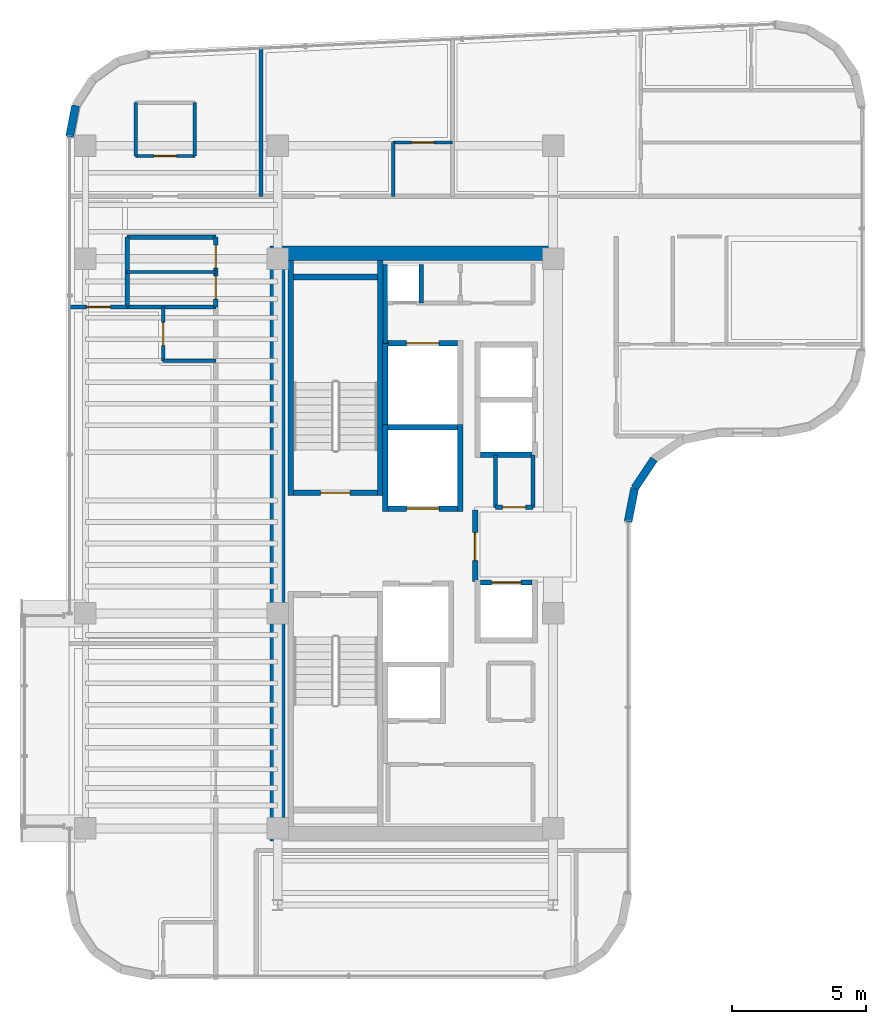
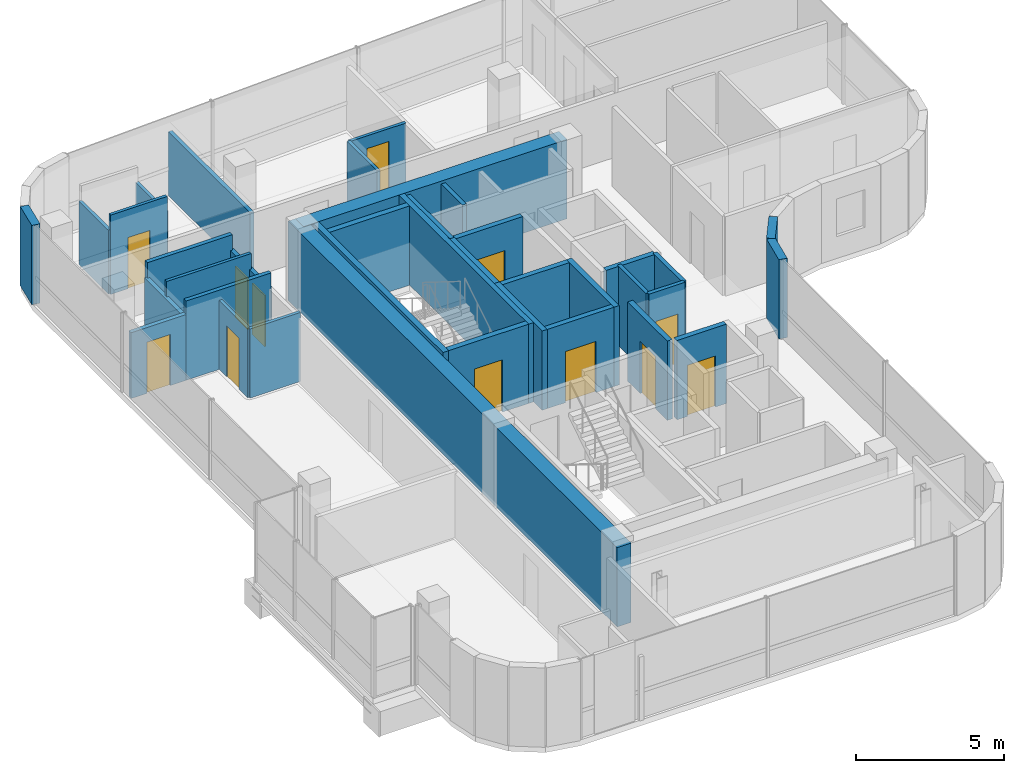
# One storey, part 15 of 19: 37 walls, 12 doors, 12 openings.
"""IFC4 building model written with IfcOpenShell, lengths in metres."""

from ifc_helpers import new_model, si_unit, direction, frame, frame_2d, origin, place, context, subcontext, project, spatial, rectangle, extrude, material, layer, layer_set, type_object, element, fill, save


model = new_model("IFC4")

# Units and contexts
model_context = context("Model", 3, precision=1e-05, world=origin(), true_north=direction((0.0, 1.0)))
body_context = subcontext(model_context, "Body", "Model", "MODEL_VIEW")
ifc_project = project(units=[si_unit("LENGTHUNIT", "METRE"), si_unit("AREAUNIT", "SQUARE_METRE"), si_unit("VOLUMEUNIT", "CUBIC_METRE"), si_unit("PLANEANGLEUNIT", "RADIAN"), si_unit("MASSUNIT", "GRAM", prefix="KILO")], contexts=[model_context])

# Site, building, storey
site_placement = place(None, origin())
site = spatial("IfcSite", under=ifc_project, at=site_placement, CompositionType="ELEMENT")
building_placement = place(site_placement, origin())
building = spatial("IfcBuilding", under=site, at=building_placement, Name="Valdorenza Pilgrim Sanctuary Tower", CompositionType="ELEMENT")
storey_placement = place(building_placement, frame((0.0, 0.0, 269.5)))
storey = spatial("IfcBuildingStorey", under=building, at=storey_placement, Name="L70", CompositionType="ELEMENT", Elevation=269.5)

# Walls
ifc_material_1 = material(Name="Acoustic twin-stud gypsum partition", Category="gypsum")
ifc_layer_1 = layer(ifc_material_1, 0.159912109375, Name="Acoustic twin-stud gypsum partition")
ifc_layer_set_1 = layer_set([ifc_layer_1], Name="Acoustic twin-stud gypsum partition")
wall_type_1 = type_object("IfcWallType", Name="WAL-COR-160", PredefinedType="PARTITIONING", material=ifc_layer_set_1)
wall_1_placement = place(storey_placement, frame((-18.64990234375, 7.449951171875, 0.0), z_axis=(0.0, 0.0, 1.0), x_axis=(0.0, 1.0, 0.0)))
element("IfcWall", 1, at=wall_1_placement, inside=storey, type_object=wall_type_1, Name="L70 Core A North Service West Wall", PredefinedType="PARTITIONING", context=body_context, shape_type="SweptSolid", body=[
    extrude(rectangle(XDim=2.929931640625, YDim=0.159912109375, at=frame_2d((1.46484375, 0.0))), origin(), (0.0, 0.0, 1.0), 3.260009765625),
])
wall_2_placement = place(storey_placement, frame((-17.300048828125, 8.949951171875, 0.0), z_axis=(0.0, 0.0, 1.0), x_axis=(0.0, 1.0, 0.0)))
element("IfcWall", 2, at=wall_2_placement, inside=storey, type_object=wall_type_1, Name="L70 Core Electrical Riser Wall", PredefinedType="PARTITIONING", context=body_context, shape_type="SweptSolid", body=[
    extrude(rectangle(XDim=1.429931640625, YDim=0.159912109375, at=frame_2d((0.71484375, 0.0))), origin(), (0.0, 0.0, 1.0), 3.260009765625),
])
wall_3_placement = place(storey_placement, frame((-13.14990234375, 1.35009765625, 0.0), z_axis=(0.0, 0.0, 1.0), x_axis=(0.0, 1.0, 0.0)))
element("IfcWall", 3, at=wall_3_placement, inside=storey, type_object=wall_type_1, Name="L70 Freed Shaft 6 East Wall", PredefinedType="PARTITIONING", context=body_context, shape_type="SweptSolid", body=[
    extrude(rectangle(XDim=1.949951171875, YDim=0.159912109375, at=frame_2d((0.97509765625, 0.0))), origin(), (0.0, 0.0, 1.0), 3.260009765625),
])
wall_4_placement = place(storey_placement, frame((-28.25, 8.800048828125, 0.0), z_axis=(0.0, 0.0, 1.0), x_axis=(0.0, 1.0, 0.0)))
element("IfcWall", 4, at=wall_4_placement, inside=storey, type_object=wall_type_1, Name="L70 Washroom West Wall", PredefinedType="PARTITIONING", context=body_context, shape_type="SweptSolid", body=[
    extrude(rectangle(XDim=2.599853515625, YDim=0.159912109375, at=frame_2d((1.2998046875, 0.0))), origin(), (0.0, 0.0, 1.0), 2.623046875),
])

# Wall, openings, doors
wall_5_placement = place(storey_placement, frame((-24.949951171875, 8.800048828125, 0.0), z_axis=(0.0, 0.0, 1.0), x_axis=(0.0, 1.0, 0.0)))
wall_5 = element("IfcWall", 5, at=wall_5_placement, inside=storey, type_object=wall_type_1, Name="L70 Washroom East Wall", PredefinedType="PARTITIONING", context=body_context, shape_type="SweptSolid", body=[
    extrude(rectangle(XDim=2.599853515625, YDim=0.159912109375, at=frame_2d((1.2998046875, 0.0))), origin(), (0.0, 0.0, 1.0), 2.623046875),
])
opening_1_placement = place(wall_5_placement, frame((0.300048828125, 0.0, 0.0)))
opening_1 = element("IfcOpeningElement", 6, at=opening_1_placement, cuts=wall_5, Name="Opening DR-WC1", PredefinedType="OPENING", context=body_context, shape_type="SweptSolid", body=[
    extrude(rectangle(XDim=0.85009765625, YDim=2.10009765625, at=frame_2d((0.425048828125, 1.050048828125))), frame((0.0, 0.0947265625, 0.0), z_axis=(0.0, -1.0, 0.0), x_axis=(1.0, 0.0, 0.0)), (0.0, 0.0, 1.0), 0.189697265625),
])
opening_2_placement = place(wall_5_placement, frame((1.449951171875, 0.0, 0.0)))
opening_2 = element("IfcOpeningElement", 7, at=opening_2_placement, cuts=wall_5, Name="Opening DR-WC1", PredefinedType="OPENING", context=body_context, shape_type="SweptSolid", body=[
    extrude(rectangle(XDim=0.85009765625, YDim=2.10009765625, at=frame_2d((0.425048828125, 1.050048828125))), frame((0.0, 0.0947265625, 0.0), z_axis=(0.0, -1.0, 0.0), x_axis=(1.0, 0.0, 0.0)), (0.0, 0.0, 1.0), 0.189697265625),
])
ifc_material_2 = material(Name="Moisture-resistant lacquered timber", Category="wood")
door_type_1 = type_object("IfcDoorType", Name="DR-BATH-850", OperationType="NOTDEFINED", PredefinedType="DOOR", material=ifc_material_2)
door_1_placement = place(opening_1_placement, origin())
door_1 = element("IfcDoor", 8, at=door_1_placement, inside=storey, type_object=door_type_1, Name="L70 Accessible Washroom Door", OperationType="SINGLE_SWING_LEFT", OverallHeight=2.10009765625, OverallWidth=0.85009765625, PredefinedType="DOOR", context=body_context, shape_type="SweptSolid", body=[
    extrude(rectangle(XDim=0.85009765625, YDim=2.10009765625, at=frame_2d((0.425048828125, 1.050048828125))), frame((0.0, 0.02490234375, 0.0), z_axis=(0.0, -1.0, 0.0), x_axis=(1.0, 0.0, 0.0)), (0.0, 0.0, 1.0), 0.050048828125),
])
fill(opening_1, door_1)
door_2_placement = place(opening_2_placement, origin())
door_2 = element("IfcDoor", 9, at=door_2_placement, inside=storey, type_object=door_type_1, Name="L70 Public Washroom Door", OperationType="SINGLE_SWING_RIGHT", OverallHeight=2.10009765625, OverallWidth=0.85009765625, PredefinedType="DOOR", context=body_context, shape_type="SweptSolid", body=[
    extrude(rectangle(XDim=0.85009765625, YDim=2.10009765625, at=frame_2d((0.425048828125, 1.050048828125))), frame((0.0, 0.02490234375, 0.0), z_axis=(0.0, -1.0, 0.0), x_axis=(1.0, 0.0, 0.0)), (0.0, 0.0, 1.0), 0.050048828125),
])
fill(opening_2, door_2)

# Walls
for number, where, z_axis, x_axis, name in (
    (10, (-28.25, 8.800048828125, 0.0), (0.0, 0.0, 1.0), (1.0, 0.0, 0.0), "L70 Washroom South Wall"),
    (11, (-28.25, 11.39990234375, 0.0), (0.0, 0.0, 1.0), (1.0, 0.0, 0.0), "L70 Washroom North Wall"),
):
    element("IfcWall", number, at=place(storey_placement, frame(where, z_axis=z_axis, x_axis=x_axis)), inside=storey, type_object=wall_type_1, Name=name, PredefinedType="PARTITIONING", context=body_context, shape_type="SweptSolid", body=[
        extrude(rectangle(XDim=3.300048828125, YDim=0.159912109375, at=frame_2d((1.64990234375, 0.0))), origin(), (0.0, 0.0, 1.0), 3.260009765625),
    ])

# Wall, opening, door
wall_6_placement = place(storey_placement, frame((-30.389892578125, 8.800048828125, 0.0), z_axis=(0.0, 0.0, 1.0), x_axis=(1.0, 0.0, 0.0)))
wall_6 = element("IfcWall", 12, at=wall_6_placement, inside=storey, type_object=wall_type_1, Name="L70 West North Alcove Wall", PredefinedType="PARTITIONING", context=body_context, shape_type="SweptSolid", body=[
    extrude(rectangle(XDim=2.139892578125, YDim=0.159912109375, at=frame_2d((1.06982421875, 0.0))), origin(), (0.0, 0.0, 1.0), 2.7060546875),
])
opening_3_placement = place(wall_6_placement, frame((0.6201171875, 0.0, 0.0)))
opening_3 = element("IfcOpeningElement", 13, at=opening_3_placement, cuts=wall_6, Name="Opening DR-RM1", PredefinedType="OPENING", context=body_context, shape_type="SweptSolid", body=[
    extrude(rectangle(XDim=0.89990234375, YDim=2.10009765625, at=frame_2d((0.449951171875, 1.050048828125))), frame((0.0, 0.0947265625, 0.0), z_axis=(0.0, -1.0, 0.0), x_axis=(1.0, 0.0, 0.0)), (0.0, 0.0, 1.0), 0.189697265625),
])
ifc_material_3 = material(Name="Solid-core European oak timber", Category="wood")
door_type_2 = type_object("IfcDoorType", Name="DR-ROOM-900", OperationType="NOTDEFINED", PredefinedType="DOOR", material=ifc_material_3)
door_3_placement = place(opening_3_placement, frame((0.89990234375, 0.0, 0.0), z_axis=(0.0, 0.0, 1.0), x_axis=(-1.0, 0.0, 0.0)))
door_3 = element("IfcDoor", 14, at=door_3_placement, inside=storey, type_object=door_type_2, Name="L70 Pilgrim Scholar Office L70-WN Door", OperationType="SINGLE_SWING_LEFT", OverallHeight=2.10009765625, OverallWidth=0.89990234375, PredefinedType="DOOR", context=body_context, shape_type="SweptSolid", body=[
    extrude(rectangle(XDim=0.89990234375, YDim=2.10009765625, at=frame_2d((0.449951171875, 1.050048828125))), frame((0.0, 0.02490234375, 0.0), z_axis=(0.0, -1.0, 0.0), x_axis=(1.0, 0.0, 0.0)), (0.0, 0.0, 1.0), 0.050048828125),
])
fill(opening_3, door_3)

# Walls
ifc_material_4 = material(Name="Concrete C50/60", Category="concrete")
ifc_layer_2 = layer(ifc_material_4, 0.550048828125, Name="Concrete C50/60")
ifc_layer_set_2 = layer_set([ifc_layer_2], Name="Concrete C50/60")
wall_type_2 = type_object("IfcWallType", Name="WAL-COR-550", PredefinedType="SHEAR", material=ifc_layer_set_2)
wall_7_placement = place(storey_placement, frame((-22.64990234375, -11.074951171875, 0.0), z_axis=(0.0, 0.0, 1.0), x_axis=(0.0, 1.0, 0.0)))
element("IfcWall", 15, at=wall_7_placement, inside=storey, type_object=wall_type_2, Name="L70 Split Core A Shear Wall W", PredefinedType="SHEAR", context=body_context, shape_type="SweptSolid", body=[
    extrude(rectangle(XDim=22.14990234375, YDim=0.550048828125, at=frame_2d((11.074951171875, 0.0))), origin(), (0.0, 0.0, 1.0), 3.260009765625),
])
wall_8_placement = place(storey_placement, frame((-22.64990234375, 10.800048828125, 0.0), z_axis=(0.0, 0.0, 1.0), x_axis=(1.0, 0.0, 0.0)))
element("IfcWall", 16, at=wall_8_placement, inside=storey, type_object=wall_type_2, Name="L70 Split Core A Shear Wall N", PredefinedType="SHEAR", context=body_context, shape_type="SweptSolid", body=[
    extrude(rectangle(XDim=10.25, YDim=0.550048828125, at=frame_2d((5.125, 0.0))), origin(), (0.0, 0.0, 1.0), 3.260009765625),
])
ifc_material_5 = material(Name="Honed travertine limestone", Category="masonry")
ifc_layer_3 = layer(ifc_material_5, 0.300048828125, Name="Honed travertine limestone")
ifc_layer_set_3 = layer_set([ifc_layer_3], Name="Honed travertine limestone")
wall_type_3 = type_object("IfcWallType", Name="WAL-EXT-300", PredefinedType="SOLIDWALL", material=ifc_layer_set_3)
wall_9_placement = place(storey_placement, frame((-30.389892578125, 15.13671875, 0.0), z_axis=(0.0, 0.0, 1.0), x_axis=(0.189307792679, 0.981917796779, 0.0)))
element("IfcWall", 17, at=wall_9_placement, inside=storey, type_object=wall_type_3, Name="L70 Rounded Wind-Corner Stone Pier 2", PredefinedType="SOLIDWALL", context=body_context, shape_type="SweptSolid", body=[
    extrude(rectangle(XDim=1.179931640625, YDim=0.300048828125, at=frame_2d((0.58984375, 0.0))), origin(), (0.0, 0.0, 1.0), 3.260009765625),
])
wall_10_placement = place(storey_placement, frame((-8.64208984375, 3.14208984375, 0.0), z_axis=(0.0, 0.0, 1.0), x_axis=(-0.555528135371, -0.831497739511, 0.0)))
element("IfcWall", 18, at=wall_10_placement, inside=storey, type_object=wall_type_3, Name="L70 Rounded Wind-Corner Stone Pier 19", PredefinedType="SOLIDWALL", context=body_context, shape_type="SweptSolid", body=[
    extrude(rectangle(XDim=1.29248046875, YDim=0.300048828125, at=frame_2d((0.646240234375, 0.0))), origin(), (0.0, 0.0, 1.0), 3.260009765625),
])
wall_11_placement = place(storey_placement, frame((-9.360107421875, 2.0673828125, 0.0), z_axis=(0.0, 0.0, 1.0), x_axis=(-0.195126623715, -0.980778058848, 0.0)))
element("IfcWall", 19, at=wall_11_placement, inside=storey, type_object=wall_type_3, Name="L70 Rounded Wind-Corner Stone Pier 20", PredefinedType="SOLIDWALL", context=body_context, shape_type="SweptSolid", body=[
    extrude(rectangle(XDim=1.28125, YDim=0.300048828125, at=frame_2d((0.640625, 0.0))), origin(), (0.0, 0.0, 1.0), 3.260009765625),
])

# Wall, opening, door
ifc_material_6 = material(Name="Gypsum shaftwall partition", Category="gypsum")
ifc_layer_4 = layer(ifc_material_6, 0.199951171875, Name="Gypsum shaftwall partition")
ifc_layer_set_4 = layer_set([ifc_layer_4], Name="Gypsum shaftwall partition")
wall_type_4 = type_object("IfcWallType", Name="WAL-FFL-200", PredefinedType="PARTITIONING", material=ifc_layer_set_4)
wall_12_placement = place(storey_placement, frame((-15.300048828125, -1.419921875, 0.0), z_axis=(0.0, 0.0, 1.0), x_axis=(0.0, 1.0, 0.0)))
wall_12 = element("IfcWall", 20, at=wall_12_placement, inside=storey, type_object=wall_type_4, Name="L70 Core A Firefighting Lobby East Wall", PredefinedType="PARTITIONING", context=body_context, shape_type="SweptSolid", body=[
    extrude(rectangle(XDim=2.669921875, YDim=0.199951171875, at=frame_2d((1.3349609375, 0.0))), origin(), (0.0, 0.0, 1.0), 3.260009765625),
])
opening_4_placement = place(wall_12_placement, frame((0.780029296875, 0.0, 0.0)))
opening_4 = element("IfcOpeningElement", 21, at=opening_4_placement, cuts=wall_12, Name="Opening DR-FL1", PredefinedType="OPENING", context=body_context, shape_type="SweptSolid", body=[
    extrude(rectangle(XDim=1.050048828125, YDim=2.14990234375, at=frame_2d((0.52490234375, 1.074951171875))), frame((0.0, 0.11474609375, 0.0), z_axis=(0.0, -1.0, 0.0), x_axis=(1.0, 0.0, 0.0)), (0.0, 0.0, 1.0), 0.229736328125),
])
ifc_material_7 = material(Name="Painted galvanized steel", Category="steel")
door_type_3 = type_object("IfcDoorType", Name="DR-FFL-1050", OperationType="NOTDEFINED", PredefinedType="DOOR", material=ifc_material_7)
door_4_placement = place(opening_4_placement, origin())
door_4 = element("IfcDoor", 22, at=door_4_placement, inside=storey, type_object=door_type_3, Name="L70 Core A Firefighting Lobby Door", OperationType="SINGLE_SWING_RIGHT", OverallHeight=2.14990234375, OverallWidth=1.050048828125, PredefinedType="DOOR", context=body_context, shape_type="SweptSolid", body=[
    extrude(rectangle(XDim=1.050048828125, YDim=2.14990234375, at=frame_2d((0.52490234375, 1.074951171875))), frame((0.0, 0.02490234375, 0.0), z_axis=(0.0, -1.0, 0.0), x_axis=(1.0, 0.0, 0.0)), (0.0, 0.0, 1.0), 0.050048828125),
])
fill(opening_4, door_4)

# Walls
ifc_material_8 = material(Name="Moisture-resistant gypsum partition", Category="gypsum")
ifc_layer_5 = layer(ifc_material_8, 0.1201171875, Name="Moisture-resistant gypsum partition")
ifc_layer_set_5 = layer_set([ifc_layer_5], Name="Moisture-resistant gypsum partition")
wall_type_5 = type_object("IfcWallType", Name="WAL-INT-120", PredefinedType="PARTITIONING", material=ifc_layer_set_5)
wall_13_placement = place(storey_placement, frame((-28.25, 10.10009765625, 0.0), z_axis=(0.0, 0.0, 1.0), x_axis=(1.0, 0.0, 0.0)))
element("IfcWall", 23, at=wall_13_placement, inside=storey, type_object=wall_type_5, Name="L70 Washroom Divider Wall", PredefinedType="PARTITIONING", context=body_context, shape_type="SweptSolid", body=[
    extrude(rectangle(XDim=3.300048828125, YDim=0.1201171875, at=frame_2d((1.64990234375, 0.0))), origin(), (0.0, 0.0, 1.0), 3.260009765625),
])
wall_14_placement = place(storey_placement, frame((-26.907958984375, 6.800048828125, 0.0), z_axis=(0.0, 0.0, 1.0), x_axis=(1.0, 0.0, 0.0)))
element("IfcWall", 24, at=wall_14_placement, inside=storey, type_object=wall_type_5, Name="L70 Pilgrim Family Guest Room L70-W2 En-suite South Wall", PredefinedType="PARTITIONING", context=body_context, shape_type="SweptSolid", body=[
    extrude(rectangle(XDim=1.9580078125, YDim=0.1201171875, at=frame_2d((0.97900390625, 0.0))), origin(), (0.0, 0.0, 1.0), 2.839111328125),
])

# Wall, opening, door
wall_15_placement = place(storey_placement, frame((-26.907958984375, 6.800048828125, 0.0), z_axis=(0.0, 0.0, 1.0), x_axis=(0.0, 1.0, 0.0)))
wall_15 = element("IfcWall", 25, at=wall_15_placement, inside=storey, type_object=wall_type_5, Name="L70 Pilgrim Family Guest Room L70-W2 En-suite Door Wall", PredefinedType="PARTITIONING", context=body_context, shape_type="SweptSolid", body=[
    extrude(rectangle(XDim=2.0, YDim=0.1201171875, at=frame_2d((1.0, 0.0))), origin(), (0.0, 0.0, 1.0), 2.839111328125),
])
opening_5_placement = place(wall_15_placement, frame((0.574951171875, 0.0, 0.0)))
opening_5 = element("IfcOpeningElement", 26, at=opening_5_placement, cuts=wall_15, Name="Opening DR-WC1", PredefinedType="OPENING", context=body_context, shape_type="SweptSolid", body=[
    extrude(rectangle(XDim=0.85009765625, YDim=2.10009765625, at=frame_2d((0.425048828125, 1.050048828125))), frame((0.0, 0.074951171875, 0.0), z_axis=(0.0, -1.0, 0.0), x_axis=(1.0, 0.0, 0.0)), (0.0, 0.0, 1.0), 0.14990234375),
])
door_5_placement = place(opening_5_placement, origin())
door_5 = element("IfcDoor", 27, at=door_5_placement, inside=storey, type_object=door_type_1, Name="L70 Pilgrim Family Guest Room L70-W2 En-suite Bathroom Door", OperationType="SINGLE_SWING_LEFT", OverallHeight=2.10009765625, OverallWidth=0.85009765625, PredefinedType="DOOR", context=body_context, shape_type="SweptSolid", body=[
    extrude(rectangle(XDim=0.85009765625, YDim=2.10009765625, at=frame_2d((0.425048828125, 1.050048828125))), frame((0.0, 0.02490234375, 0.0), z_axis=(0.0, -1.0, 0.0), x_axis=(1.0, 0.0, 0.0)), (0.0, 0.0, 1.0), 0.050048828125),
])
fill(opening_5, door_5)

# Walls
for number, where, z_axis, x_axis, name in (
    (28, (-27.929931640625, 14.419921875, 0.0), (0.0, 0.0, 1.0), (0.0, 1.0, 0.0), "L70 North Family Guest Room L70-N1A En-suite West Wall"),
    (29, (-25.72998046875, 14.419921875, 0.0), (0.0, 0.0, 1.0), (0.0, 1.0, 0.0), "L70 North Family Guest Room L70-N1A En-suite East Wall"),
):
    element("IfcWall", number, at=place(storey_placement, frame(where, z_axis=z_axis, x_axis=x_axis)), inside=storey, type_object=wall_type_5, Name=name, PredefinedType="PARTITIONING", context=body_context, shape_type="SweptSolid", body=[
        extrude(rectangle(XDim=1.984130859375, YDim=0.1201171875, at=frame_2d((0.9921875, 0.0))), origin(), (0.0, 0.0, 1.0), 2.623046875),
    ])

# Wall, opening, door
wall_16_placement = place(storey_placement, frame((-27.929931640625, 14.419921875, 0.0), z_axis=(0.0, 0.0, 1.0), x_axis=(1.0, 0.0, 0.0)))
wall_16 = element("IfcWall", 30, at=wall_16_placement, inside=storey, type_object=wall_type_5, Name="L70 North Family Guest Room L70-N1A En-suite Door Wall", PredefinedType="PARTITIONING", context=body_context, shape_type="SweptSolid", body=[
    extrude(rectangle(XDim=2.199951171875, YDim=0.1201171875, at=frame_2d((1.10009765625, 0.0))), origin(), (0.0, 0.0, 1.0), 3.260009765625),
])
opening_6_placement = place(wall_16_placement, frame((0.675048828125, 0.0, 0.0)))
opening_6 = element("IfcOpeningElement", 31, at=opening_6_placement, cuts=wall_16, Name="Opening DR-WC1", PredefinedType="OPENING", context=body_context, shape_type="SweptSolid", body=[
    extrude(rectangle(XDim=0.85009765625, YDim=2.10009765625, at=frame_2d((0.425048828125, 1.050048828125))), frame((0.0, 0.074951171875, 0.0), z_axis=(0.0, -1.0, 0.0), x_axis=(1.0, 0.0, 0.0)), (0.0, 0.0, 1.0), 0.14990234375),
])
door_6_placement = place(opening_6_placement, origin())
door_6 = element("IfcDoor", 32, at=door_6_placement, inside=storey, type_object=door_type_1, Name="L70 North Family Guest Room L70-N1A En-suite Bathroom Door", OperationType="SINGLE_SWING_RIGHT", OverallHeight=2.10009765625, OverallWidth=0.85009765625, PredefinedType="DOOR", context=body_context, shape_type="SweptSolid", body=[
    extrude(rectangle(XDim=0.85009765625, YDim=2.10009765625, at=frame_2d((0.425048828125, 1.050048828125))), frame((0.0, 0.02490234375, 0.0), z_axis=(0.0, -1.0, 0.0), x_axis=(1.0, 0.0, 0.0)), (0.0, 0.0, 1.0), 0.050048828125),
])
fill(opening_6, door_6)

# Wall
wall_17_placement = place(storey_placement, frame((-18.35009765625, 12.919921875, 0.0), z_axis=(0.0, 0.0, 1.0), x_axis=(0.0, 1.0, 0.0)))
element("IfcWall", 33, at=wall_17_placement, inside=storey, type_object=wall_type_5, Name="L70 North Family Guest Room L70-N1B En-suite West Wall", PredefinedType="PARTITIONING", context=body_context, shape_type="SweptSolid", body=[
    extrude(rectangle(XDim=2.0, YDim=0.1201171875, at=frame_2d((1.0, 0.0))), origin(), (0.0, 0.0, 1.0), 2.623046875),
])

# Wall, opening, door
wall_18_placement = place(storey_placement, frame((-18.35009765625, 14.919921875, 0.0), z_axis=(0.0, 0.0, 1.0), x_axis=(1.0, 0.0, 0.0)))
wall_18 = element("IfcWall", 34, at=wall_18_placement, inside=storey, type_object=wall_type_5, Name="L70 North Family Guest Room L70-N1B En-suite Door Wall", PredefinedType="PARTITIONING", context=body_context, shape_type="SweptSolid", body=[
    extrude(rectangle(XDim=2.2001953125, YDim=0.1201171875, at=frame_2d((1.10009765625, 0.0))), origin(), (0.0, 0.0, 1.0), 2.623046875),
])
opening_7_placement = place(wall_18_placement, frame((0.675048828125, 0.0, 0.0)))
opening_7 = element("IfcOpeningElement", 35, at=opening_7_placement, cuts=wall_18, Name="Opening DR-WC1", PredefinedType="OPENING", context=body_context, shape_type="SweptSolid", body=[
    extrude(rectangle(XDim=0.85009765625, YDim=2.10009765625, at=frame_2d((0.425048828125, 1.050048828125))), frame((0.0, 0.074951171875, 0.0), z_axis=(0.0, -1.0, 0.0), x_axis=(1.0, 0.0, 0.0)), (0.0, 0.0, 1.0), 0.14990234375),
])
door_7_placement = place(opening_7_placement, origin())
door_7 = element("IfcDoor", 36, at=door_7_placement, inside=storey, type_object=door_type_1, Name="L70 North Family Guest Room L70-N1B En-suite Bathroom Door", OperationType="SINGLE_SWING_RIGHT", OverallHeight=2.10009765625, OverallWidth=0.85009765625, PredefinedType="DOOR", context=body_context, shape_type="SweptSolid", body=[
    extrude(rectangle(XDim=0.85009765625, YDim=2.10009765625, at=frame_2d((0.425048828125, 1.050048828125))), frame((0.0, 0.02490234375, 0.0), z_axis=(0.0, -1.0, 0.0), x_axis=(1.0, 0.0, 0.0)), (0.0, 0.0, 1.0), 0.050048828125),
])
fill(opening_7, door_7)

# Walls
ifc_material_9 = material(Name="Autoclaved aerated concrete blockwork", Category="masonry")
ifc_layer_6 = layer(ifc_material_9, 0.199951171875, Name="Autoclaved aerated concrete blockwork")
ifc_layer_set_6 = layer_set([ifc_layer_6], Name="Autoclaved aerated concrete blockwork")
wall_type_6 = type_object("IfcWallType", Name="WAL-SHF-200", PredefinedType="MOVABLE", material=ifc_layer_set_6)
for number, where, z_axis, x_axis, name in (
    (37, (-18.64990234375, 1.199951171875, 0.0), (0.0, 0.0, 1.0), (0.0, 1.0, 0.0), "L70 Lift FFL-01 Hoistway Wall West"),
    (38, (-15.85009765625, 1.199951171875, 0.0), (0.0, 0.0, 1.0), (0.0, 1.0, 0.0), "L70 Lift FFL-01 Hoistway Wall East"),
):
    element("IfcWall", number, at=place(storey_placement, frame(where, z_axis=z_axis, x_axis=x_axis)), inside=storey, type_object=wall_type_6, Name=name, PredefinedType="MOVABLE", context=body_context, shape_type="SweptSolid", body=[
        extrude(rectangle(XDim=3.22509765625, YDim=0.199951171875, at=frame_2d((1.612548828125, 0.0))), origin(), (0.0, 0.0, 1.0), 3.260009765625),
    ])

# Wall, opening, door
wall_19_placement = place(storey_placement, frame((-18.550048828125, 1.300048828125, 0.0), z_axis=(0.0, 0.0, 1.0), x_axis=(1.0, 0.0, 0.0)))
wall_19 = element("IfcWall", 39, at=wall_19_placement, inside=storey, type_object=wall_type_6, Name="L70 Lift FFL-01 Hoistway Wall South", PredefinedType="MOVABLE", context=body_context, shape_type="SweptSolid", body=[
    extrude(rectangle(XDim=2.60009765625, YDim=0.199951171875, at=frame_2d((1.300048828125, 0.0))), origin(), (0.0, 0.0, 1.0), 3.260009765625),
])
opening_8_placement = place(wall_19_placement, frame((0.699951171875, 0.0, 0.0)))
opening_8 = element("IfcOpeningElement", 40, at=opening_8_placement, cuts=wall_19, Name="Opening LD-02", PredefinedType="OPENING", context=body_context, shape_type="SweptSolid", body=[
    extrude(rectangle(XDim=1.199951171875, YDim=2.10009765625, at=frame_2d((0.60009765625, 1.050048828125))), frame((0.0, 0.11474609375, 0.0), z_axis=(0.0, -1.0, 0.0), x_axis=(1.0, 0.0, 0.0)), (0.0, 0.0, 1.0), 0.229736328125),
])
ifc_material_10 = material(Name="Brushed stainless steel Grade 316", Category="steel")
door_type_4 = type_object("IfcDoorType", Name="DR-LFT-1200", OperationType="DOUBLE_DOOR_SLIDING", PredefinedType="DOOR", material=ifc_material_10)
door_8_placement = place(opening_8_placement, origin())
door_8 = element("IfcDoor", 41, at=door_8_placement, inside=storey, type_object=door_type_4, Name="L70 Lift FFL-01 Sliding Landing Door", OperationType="DOUBLE_DOOR_SLIDING", OverallHeight=2.10009765625, OverallWidth=1.199951171875, PredefinedType="DOOR", context=body_context, shape_type="SweptSolid", body=[
    extrude(rectangle(XDim=1.199951171875, YDim=2.10009765625, at=frame_2d((0.60009765625, 1.050048828125))), frame((0.0, 0.02490234375, 0.0), z_axis=(0.0, -1.0, 0.0), x_axis=(1.0, 0.0, 0.0)), (0.0, 0.0, 1.0), 0.050048828125),
])
fill(opening_8, door_8)

# Walls
wall_20_placement = place(storey_placement, frame((-18.550048828125, 4.324951171875, 0.0), z_axis=(0.0, 0.0, 1.0), x_axis=(1.0, 0.0, 0.0)))
element("IfcWall", 42, at=wall_20_placement, inside=storey, type_object=wall_type_6, Name="L70 Lift FFL-01 Hoistway Wall North", PredefinedType="MOVABLE", context=body_context, shape_type="SweptSolid", body=[
    extrude(rectangle(XDim=2.60009765625, YDim=0.199951171875, at=frame_2d((1.300048828125, 0.0))), origin(), (0.0, 0.0, 1.0), 3.260009765625),
])
wall_21_placement = place(storey_placement, frame((-18.64990234375, 4.22509765625, 0.0), z_axis=(0.0, 0.0, 1.0), x_axis=(0.0, 1.0, 0.0)))
element("IfcWall", 43, at=wall_21_placement, inside=storey, type_object=wall_type_6, Name="L70 Lift SVL-01 Hoistway Wall West", PredefinedType="MOVABLE", context=body_context, shape_type="SweptSolid", body=[
    extrude(rectangle(XDim=3.324951171875, YDim=0.199951171875, at=frame_2d((1.66259765625, 0.0))), origin(), (0.0, 0.0, 1.0), 3.260009765625),
])

# Wall, opening, door
wall_22_placement = place(storey_placement, frame((-18.550048828125, 7.449951171875, 0.0), z_axis=(0.0, 0.0, 1.0), x_axis=(1.0, 0.0, 0.0)))
wall_22 = element("IfcWall", 44, at=wall_22_placement, inside=storey, type_object=wall_type_6, Name="L70 Lift SVL-01 Hoistway Wall North", PredefinedType="MOVABLE", context=body_context, shape_type="SweptSolid", body=[
    extrude(rectangle(XDim=2.60009765625, YDim=0.199951171875, at=frame_2d((1.300048828125, 0.0))), origin(), (0.0, 0.0, 1.0), 3.260009765625),
])
opening_9_placement = place(wall_22_placement, frame((0.699951171875, 0.0, 0.0)))
opening_9 = element("IfcOpeningElement", 45, at=opening_9_placement, cuts=wall_22, Name="Opening LD-02", PredefinedType="OPENING", context=body_context, shape_type="SweptSolid", body=[
    extrude(rectangle(XDim=1.199951171875, YDim=2.10009765625, at=frame_2d((0.60009765625, 1.050048828125))), frame((0.0, 0.11474609375, 0.0), z_axis=(0.0, -1.0, 0.0), x_axis=(1.0, 0.0, 0.0)), (0.0, 0.0, 1.0), 0.229736328125),
])
door_9_placement = place(opening_9_placement, origin())
door_9 = element("IfcDoor", 46, at=door_9_placement, inside=storey, type_object=door_type_4, Name="L70 Lift SVL-01 Sliding Landing Door", OperationType="DOUBLE_DOOR_SLIDING", OverallHeight=2.10009765625, OverallWidth=1.199951171875, PredefinedType="DOOR", context=body_context, shape_type="SweptSolid", body=[
    extrude(rectangle(XDim=1.199951171875, YDim=2.10009765625, at=frame_2d((0.60009765625, 1.050048828125))), frame((0.0, 0.02490234375, 0.0), z_axis=(0.0, -1.0, 0.0), x_axis=(1.0, 0.0, 0.0)), (0.0, 0.0, 1.0), 0.050048828125),
])
fill(opening_9, door_9)

# Wall
wall_23_placement = place(storey_placement, frame((-15.10009765625, 3.300048828125, 0.0), z_axis=(0.0, 0.0, 1.0), x_axis=(1.0, 0.0, 0.0)))
element("IfcWall", 47, at=wall_23_placement, inside=storey, type_object=wall_type_6, Name="L70 Lift PL-09 Hoistway Wall South", PredefinedType="MOVABLE", context=body_context, shape_type="SweptSolid", body=[
    extrude(rectangle(XDim=1.920166015625, YDim=0.199951171875, at=frame_2d((0.9599609375, 0.0))), origin(), (0.0, 0.0, 1.0), 3.260009765625),
])

# Wall, opening, door
wall_24_placement = place(storey_placement, frame((-15.10009765625, -1.449951171875, 0.0), z_axis=(0.0, 0.0, 1.0), x_axis=(1.0, 0.0, 0.0)))
wall_24 = element("IfcWall", 48, at=wall_24_placement, inside=storey, type_object=wall_type_6, Name="L70 Lift PL-12 Hoistway Wall North", PredefinedType="MOVABLE", context=body_context, shape_type="SweptSolid", body=[
    extrude(rectangle(XDim=1.920166015625, YDim=0.199951171875, at=frame_2d((0.9599609375, 0.0))), origin(), (0.0, 0.0, 1.0), 3.260009765625),
])
opening_10_placement = place(wall_24_placement, frame((0.409912109375, 0.0, 0.0)))
opening_10 = element("IfcOpeningElement", 49, at=opening_10_placement, cuts=wall_24, Name="Opening LD-01", PredefinedType="OPENING", context=body_context, shape_type="SweptSolid", body=[
    extrude(rectangle(XDim=1.10009765625, YDim=2.10009765625, at=frame_2d((0.550048828125, 1.050048828125))), frame((0.0, 0.11474609375, 0.0), z_axis=(0.0, -1.0, 0.0), x_axis=(1.0, 0.0, 0.0)), (0.0, 0.0, 1.0), 0.229736328125),
])
door_type_5 = type_object("IfcDoorType", Name="DR-LFT-1100", OperationType="DOUBLE_DOOR_SLIDING", PredefinedType="DOOR", material=ifc_material_10)
door_10_placement = place(opening_10_placement, origin())
door_10 = element("IfcDoor", 50, at=door_10_placement, inside=storey, type_object=door_type_5, Name="L70 Lift PL-12 Sliding Landing Door", OperationType="DOUBLE_DOOR_SLIDING", OverallHeight=2.10009765625, OverallWidth=1.10009765625, PredefinedType="DOOR", context=body_context, shape_type="SweptSolid", body=[
    extrude(rectangle(XDim=1.10009765625, YDim=2.10009765625, at=frame_2d((0.550048828125, 1.050048828125))), frame((0.0, 0.02490234375, 0.0), z_axis=(0.0, -1.0, 0.0), x_axis=(1.0, 0.0, 0.0)), (0.0, 0.0, 1.0), 0.050048828125),
])
fill(opening_10, door_10)

# Walls
ifc_material_11 = material(Name="Concrete C40/50", Category="concrete")
ifc_layer_7 = layer(ifc_material_11, 0.219970703125, Name="Concrete C40/50")
ifc_layer_set_7 = layer_set([ifc_layer_7], Name="Concrete C40/50")
wall_type_7 = type_object("IfcWallType", Name="WAL-STR-SHF-220", PredefinedType="SHEAR", material=ifc_layer_set_7)
for number, where, z_axis, x_axis, name in (
    (51, (-22.159912109375, 1.780029296875, 0.0), (0.0, 0.0, 1.0), (0.0, 1.0, 0.0), "L70 ST-A1 Structural Stairwell Wall W"),
    (52, (-18.830078125, 1.780029296875, 0.0), (0.0, 0.0, 1.0), (0.0, 1.0, 0.0), "L70 ST-A1 Structural Stairwell Wall E"),
):
    element("IfcWall", number, at=place(storey_placement, frame(where, z_axis=z_axis, x_axis=x_axis)), inside=storey, type_object=wall_type_7, Name=name, PredefinedType="SHEAR", context=body_context, shape_type="SweptSolid", body=[
        extrude(rectangle(XDim=8.744873046875, YDim=0.219970703125, at=frame_2d((4.37255859375, 0.0))), origin(), (0.0, 0.0, 1.0), 3.260009765625),
    ])

# Wall, opening, door
wall_25_placement = place(storey_placement, frame((-22.050048828125, 1.889892578125, 0.0), z_axis=(0.0, 0.0, 1.0), x_axis=(1.0, 0.0, 0.0)))
wall_25 = element("IfcWall", 53, at=wall_25_placement, inside=storey, type_object=wall_type_7, Name="L70 ST-A1 Structural Stairwell Wall S", PredefinedType="SHEAR", context=body_context, shape_type="SweptSolid", body=[
    extrude(rectangle(XDim=3.110107421875, YDim=0.219970703125, at=frame_2d((1.55517578125, 0.0))), origin(), (0.0, 0.0, 1.0), 3.260009765625),
])
opening_11_placement = place(wall_25_placement, frame((1.0, 0.0, 0.0)))
opening_11 = element("IfcOpeningElement", 54, at=opening_11_placement, cuts=wall_25, Name="Opening DR-ST1", PredefinedType="OPENING", context=body_context, shape_type="SweptSolid", body=[
    extrude(rectangle(XDim=1.10009765625, YDim=2.14990234375, at=frame_2d((0.550048828125, 1.074951171875))), frame((0.0, 0.125, 0.0), z_axis=(0.0, -1.0, 0.0), x_axis=(1.0, 0.0, 0.0)), (0.0, 0.0, 1.0), 0.249755859375),
])
door_type_6 = type_object("IfcDoorType", Name="DR-STAIR-1100", OperationType="NOTDEFINED", PredefinedType="DOOR", material=ifc_material_7)
door_11_placement = place(opening_11_placement, frame((1.10009765625, 0.0, 0.0), z_axis=(0.0, 0.0, 1.0), x_axis=(-1.0, 0.0, 0.0)))
door_11 = element("IfcDoor", 55, at=door_11_placement, inside=storey, type_object=door_type_6, Name="L70 Exit Stair ST-A1 Door", OperationType="SINGLE_SWING_LEFT", OverallHeight=2.14990234375, OverallWidth=1.10009765625, PredefinedType="DOOR", context=body_context, shape_type="SweptSolid", body=[
    extrude(rectangle(XDim=1.10009765625, YDim=2.14990234375, at=frame_2d((0.550048828125, 1.074951171875))), frame((0.0, 0.02490234375, 0.0), z_axis=(0.0, -1.0, 0.0), x_axis=(1.0, 0.0, 0.0)), (0.0, 0.0, 1.0), 0.050048828125),
])
fill(opening_11, door_11)

# Walls
wall_26_placement = place(storey_placement, frame((-22.050048828125, 9.909912109375, 0.0), z_axis=(0.0, 0.0, 1.0), x_axis=(1.0, 0.0, 0.0)))
element("IfcWall", 56, at=wall_26_placement, inside=storey, type_object=wall_type_7, Name="L70 ST-A1 Structural Stairwell Wall N", PredefinedType="SHEAR", context=body_context, shape_type="SweptSolid", body=[
    extrude(rectangle(XDim=3.110107421875, YDim=0.219970703125, at=frame_2d((1.55517578125, 0.0))), origin(), (0.0, 0.0, 1.0), 3.260009765625),
])
ifc_layer_8 = layer(ifc_material_1, 0.14990234375, Name="Acoustic twin-stud gypsum partition")
ifc_layer_set_8 = layer_set([ifc_layer_8], Name="Acoustic twin-stud gypsum partition")
wall_type_8 = type_object("IfcWallType", Name="WAL-UNT-150", PredefinedType="PARTITIONING", material=ifc_layer_set_8)
wall_27_placement = place(storey_placement, frame((-14.550048828125, 1.35009765625, 0.0), z_axis=(0.0, 0.0, 1.0), x_axis=(0.0, 1.0, 0.0)))
element("IfcWall", 57, at=wall_27_placement, inside=storey, type_object=wall_type_8, Name="L70 Freed Shaft 6 West Wall", PredefinedType="PARTITIONING", context=body_context, shape_type="SweptSolid", body=[
    extrude(rectangle(XDim=1.949951171875, YDim=0.14990234375, at=frame_2d((0.97509765625, 0.0))), origin(), (0.0, 0.0, 1.0), 3.260009765625),
])

# Wall, opening, door
wall_28_placement = place(storey_placement, frame((-14.550048828125, 1.35009765625, 0.0), z_axis=(0.0, 0.0, 1.0), x_axis=(1.0, 0.0, 0.0)))
wall_28 = element("IfcWall", 58, at=wall_28_placement, inside=storey, type_object=wall_type_8, Name="L70 Freed Shaft 6 South Wall", PredefinedType="PARTITIONING", context=body_context, shape_type="SweptSolid", body=[
    extrude(rectangle(XDim=1.400146484375, YDim=0.14990234375, at=frame_2d((0.7001953125, 0.0))), origin(), (0.0, 0.0, 1.0), 3.260009765625),
])
opening_12_placement = place(wall_28_placement, frame((0.27490234375, 0.0, 0.0)))
opening_12 = element("IfcOpeningElement", 59, at=opening_12_placement, cuts=wall_28, Name="Opening DR-RS1", PredefinedType="OPENING", context=body_context, shape_type="SweptSolid", body=[
    extrude(rectangle(XDim=0.85009765625, YDim=2.050048828125, at=frame_2d((0.425048828125, 1.02490234375))), frame((0.0, 0.08984375, 0.0), z_axis=(0.0, -1.0, 0.0), x_axis=(1.0, 0.0, 0.0)), (0.0, 0.0, 1.0), 0.1796875),
])
door_type_7 = type_object("IfcDoorType", Name="DR-RSR-850", OperationType="NOTDEFINED", PredefinedType="DOOR", material=ifc_material_7)
door_12_placement = place(opening_12_placement, origin())
door_12 = element("IfcDoor", 60, at=door_12_placement, inside=storey, type_object=door_type_7, Name="L70 High-Rise Butler Pantry Door", OperationType="SINGLE_SWING_RIGHT", OverallHeight=2.050048828125, OverallWidth=0.85009765625, PredefinedType="DOOR", context=body_context, shape_type="SweptSolid", body=[
    extrude(rectangle(XDim=0.85009765625, YDim=2.050048828125, at=frame_2d((0.425048828125, 1.02490234375))), frame((0.0, 0.02490234375, 0.0), z_axis=(0.0, -1.0, 0.0), x_axis=(1.0, 0.0, 0.0)), (0.0, 0.0, 1.0), 0.050048828125),
])
fill(opening_12, door_12)

# Wall
wall_29_placement = place(storey_placement, frame((-23.27001953125, 12.919921875, 0.0), z_axis=(0.0, 0.0, 1.0), x_axis=(0.0, 1.0, 0.0)))
element("IfcWall", 61, at=wall_29_placement, inside=storey, type_object=wall_type_8, Name="L70 North Family Guest Room L70-N1 Split Wall", PredefinedType="PARTITIONING", context=body_context, shape_type="SweptSolid", body=[
    extrude(rectangle(XDim=5.5107421875, YDim=0.14990234375, at=frame_2d((2.75537109375, 0.0))), origin(), (0.0, 0.0, 1.0), 2.623046875),
])

save(model, "model.ifc")
